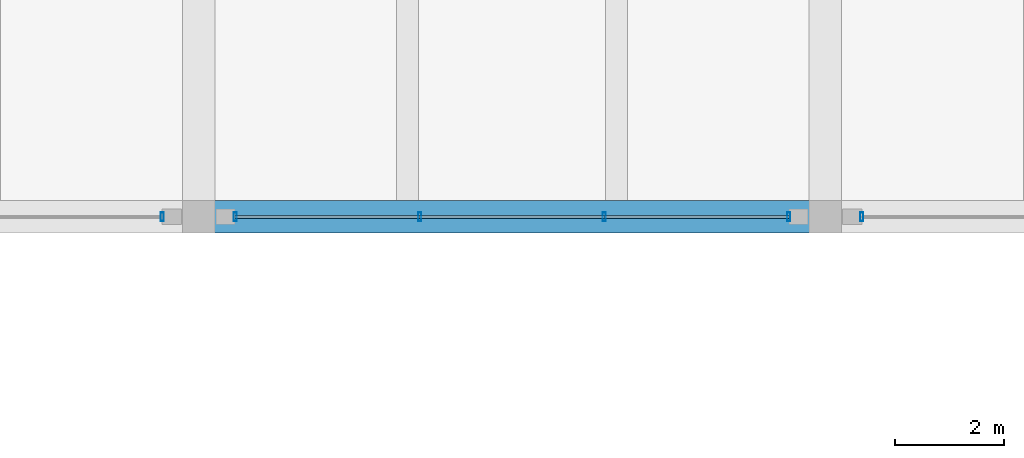
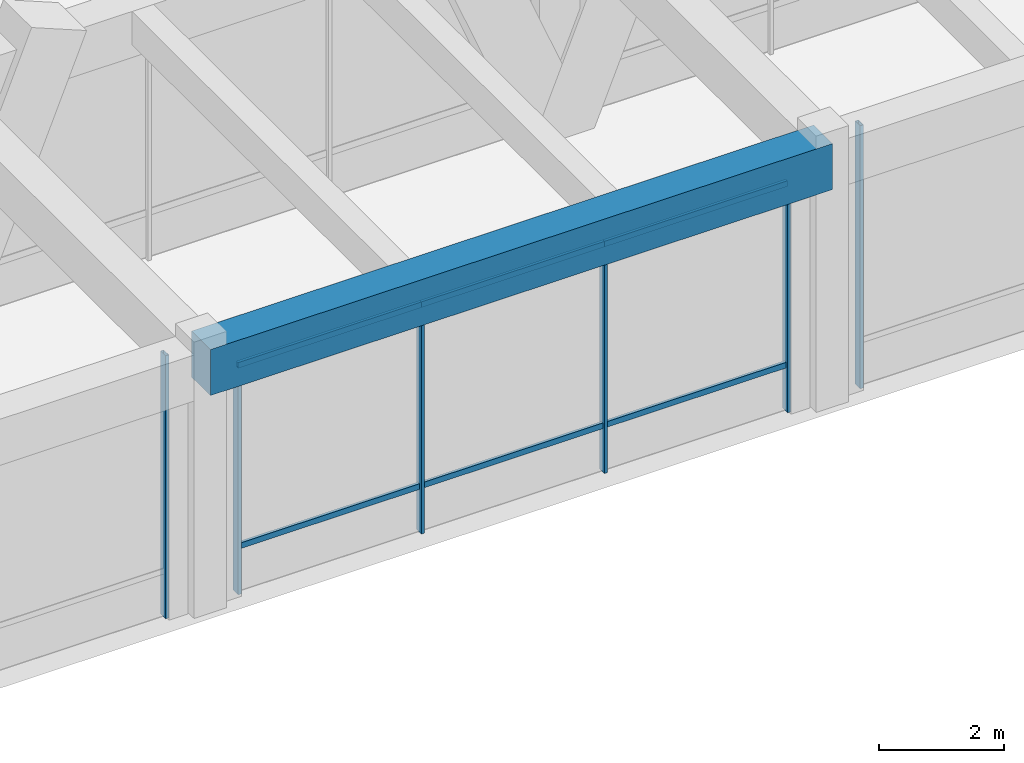
# One storey, part 16 of 148: 12 members, 1 beam, 3 elements without a shape of their own.
"""IFC4 building model written with IfcOpenShell, lengths in metres."""

from ifc_helpers import new_model, si_unit, direction, frame, origin, origin_2d, place, context, subcontext, project, spatial, rectangle, hollow_rectangle, extrude, material, material_profile, profile_set, type_object, element, aggregate, save


model = new_model("IFC4")

# Units and contexts
model_context = context("Model", 3, precision=1e-05, world=origin(), true_north=direction((0.0, 1.0)))
body_context = subcontext(model_context, "Body", "Model", "MODEL_VIEW")
ifc_project = project(units=[si_unit("LENGTHUNIT", "METRE"), si_unit("AREAUNIT", "SQUARE_METRE"), si_unit("VOLUMEUNIT", "CUBIC_METRE"), si_unit("PLANEANGLEUNIT", "RADIAN"), si_unit("MASSUNIT", "GRAM", prefix="KILO")], contexts=[model_context])

# Site, building, storey
site_placement = place(None, origin())
site = spatial("IfcSite", under=ifc_project, at=site_placement, CompositionType="ELEMENT")
building_placement = place(site_placement, origin())
building = spatial("IfcBuilding", under=site, at=building_placement, Name="Ologun Quay Terminus", CompositionType="ELEMENT")
storey_placement = place(building_placement, frame((0.0, 0.0, 8.39990234375)))
storey = spatial("IfcBuildingStorey", under=building, at=storey_placement, Name="L02", CompositionType="ELEMENT", Elevation=8.39990234375)

# Curtain wall, member
ifc_material_1 = material(Name="Aluminium 6063-T6", Category="aluminium")
curtain_wall_type = type_object("IfcCurtainWallType", Name="Concourse Departure Curtain Wall 10700x4950", PredefinedType="USERDEFINED", material=ifc_material_1)
curtain_wall_1_placement = place(storey_placement, origin())
curtain_wall_1 = element("IfcCurtainWall", 1, at=curtain_wall_1_placement, inside=storey, type_object=curtain_wall_type, Name="CW-05 Curtain Wall CW-L02-021", ObjectType="UNITISED CURTAIN WALL", PredefinedType="USERDEFINED")
ifc_material_2 = material(Name="Aluminium 6063-T6", Category="aluminium")
ifc_material_profile_1 = material_profile(ifc_material_2, hollow_rectangle(XDim=0.06005859375, YDim=0.159912109375, WallThickness=0.00390625, at=origin_2d()), Name="ALU 160x60x4")
ifc_profile_set_1 = profile_set([ifc_material_profile_1], Name="Aluminium 6063-T6")
member_type_1 = type_object("IfcMemberType", Name="Curtain Wall Standard Mullion 160x65", PredefinedType="MULLION", material=ifc_profile_set_1)
member_1_placement = place(storey_placement, frame((33.830078125, 27.199951171875, 0.0), z_axis=(0.0, 0.0, 1.0), x_axis=(1.0, 0.0, 0.0)))
member_1 = element("IfcMember", 2, at=member_1_placement, type_object=member_type_1, Name="CW-L02-021 Mullion 4", PredefinedType="MULLION", context=body_context, shape_type="SweptSolid", body=[
    extrude(hollow_rectangle(XDim=0.06005859375, YDim=0.159912109375, WallThickness=0.00390625, at=origin_2d()), origin(), (0.0, 0.0, 1.0), 5.14013671875),
])
aggregate(curtain_wall_1, [member_1])

# Curtain wall, members
curtain_wall_2_placement = place(storey_placement, origin())
curtain_wall_2 = element("IfcCurtainWall", 3, at=curtain_wall_2_placement, inside=storey, type_object=curtain_wall_type, Name="CW-05 Curtain Wall CW-L02-022", ObjectType="UNITISED CURTAIN WALL", PredefinedType="USERDEFINED")
member_2_placement = place(storey_placement, frame((35.169921875, 27.199951171875, 0.0), z_axis=(0.0, 0.0, 1.0), x_axis=(1.0, 0.0, 0.0)))
member_2 = element("IfcMember", 4, at=member_2_placement, type_object=member_type_1, Name="CW-L02-022 Mullion 1", PredefinedType="MULLION", context=body_context, shape_type="SweptSolid", body=[
    extrude(hollow_rectangle(XDim=0.06005859375, YDim=0.159912109375, WallThickness=0.00390625, at=origin_2d()), origin(), (0.0, 0.0, 1.0), 5.14013671875),
])
member_3_placement = place(storey_placement, frame((38.556640625, 27.199951171875, 0.0), z_axis=(0.0, 0.0, 1.0), x_axis=(1.0, 0.0, 0.0)))
member_3 = element("IfcMember", 5, at=member_3_placement, type_object=member_type_1, Name="CW-L02-022 Mullion 2", PredefinedType="MULLION", context=body_context, shape_type="SweptSolid", body=[
    extrude(hollow_rectangle(XDim=0.06005859375, YDim=0.159912109375, WallThickness=0.00390625, at=origin_2d()), origin(), (0.0, 0.0, 1.0), 5.14013671875),
])
member_4_placement = place(storey_placement, frame((41.943359375, 27.199951171875, 0.0), z_axis=(0.0, 0.0, 1.0), x_axis=(1.0, 0.0, 0.0)))
member_4 = element("IfcMember", 6, at=member_4_placement, type_object=member_type_1, Name="CW-L02-022 Mullion 3", PredefinedType="MULLION", context=body_context, shape_type="SweptSolid", body=[
    extrude(hollow_rectangle(XDim=0.06005859375, YDim=0.159912109375, WallThickness=0.00390625, at=origin_2d()), origin(), (0.0, 0.0, 1.0), 5.14013671875),
])
member_5_placement = place(storey_placement, frame((45.330078125, 27.199951171875, 0.0), z_axis=(0.0, 0.0, 1.0), x_axis=(1.0, 0.0, 0.0)))
member_5 = element("IfcMember", 7, at=member_5_placement, type_object=member_type_1, Name="CW-L02-022 Mullion 4", PredefinedType="MULLION", context=body_context, shape_type="SweptSolid", body=[
    extrude(hollow_rectangle(XDim=0.06005859375, YDim=0.159912109375, WallThickness=0.00390625, at=origin_2d()), origin(), (0.0, 0.0, 1.0), 5.14013671875),
])

# Curtain wall, member
curtain_wall_3_placement = place(storey_placement, origin())
curtain_wall_3 = element("IfcCurtainWall", 8, at=curtain_wall_3_placement, inside=storey, type_object=curtain_wall_type, Name="CW-05 Curtain Wall CW-L02-023", ObjectType="UNITISED CURTAIN WALL", PredefinedType="USERDEFINED")
member_6_placement = place(storey_placement, frame((46.669921875, 27.199951171875, 0.0), z_axis=(0.0, 0.0, 1.0), x_axis=(1.0, 0.0, 0.0)))
member_6 = element("IfcMember", 9, at=member_6_placement, type_object=member_type_1, Name="CW-L02-023 Mullion 1", PredefinedType="MULLION", context=body_context, shape_type="SweptSolid", body=[
    extrude(hollow_rectangle(XDim=0.06005859375, YDim=0.159912109375, WallThickness=0.00390625, at=origin_2d()), origin(), (0.0, 0.0, 1.0), 5.14013671875),
])
aggregate(curtain_wall_3, [member_6])

# Member
ifc_material_3 = material(Name="Aluminium 6063-T6", Category="aluminium")
ifc_material_profile_2 = material_profile(ifc_material_3, hollow_rectangle(XDim=0.054931640625, YDim=0.110107421875, WallThickness=0.00390625, at=origin_2d()), Name="ALU 110x55x4")
ifc_profile_set_2 = profile_set([ifc_material_profile_2], Name="Aluminium 6063-T6")
member_type_2 = type_object("IfcMemberType", Name="Curtain Wall Standard Transom 110x55", PredefinedType="USERDEFINED", material=ifc_profile_set_2)
member_7_placement = place(storey_placement, frame((35.169921875, 27.199951171875, 0.900146484375), z_axis=(1.0, 0.0, 0.0), x_axis=(0.0, 1.0, 0.0)))
member_7 = element("IfcMember", 10, at=member_7_placement, type_object=member_type_2, Name="CW-L02-022 Transom B1-1", ObjectType="TRANSOM", PredefinedType="USERDEFINED", context=body_context, shape_type="SweptSolid", body=[
    extrude(hollow_rectangle(XDim=0.054931640625, YDim=0.110107421875, WallThickness=0.00390625, at=origin_2d()), origin(), (0.0, 0.0, 1.0), 3.38671875),
])

member_8_placement = place(storey_placement, frame((35.169921875, 27.199951171875, 4.440185546875), z_axis=(1.0, 0.0, 0.0), x_axis=(0.0, 1.0, 0.0)))
member_8 = element("IfcMember", 11, at=member_8_placement, type_object=member_type_2, Name="CW-L02-022 Transom B1-2", ObjectType="TRANSOM", PredefinedType="USERDEFINED", context=body_context, shape_type="SweptSolid", body=[
    extrude(hollow_rectangle(XDim=0.054931640625, YDim=0.110107421875, WallThickness=0.00390625, at=origin_2d()), origin(), (0.0, 0.0, 1.0), 3.38671875),
])

member_9_placement = place(storey_placement, frame((38.556640625, 27.199951171875, 0.900146484375), z_axis=(1.0, 0.0, 0.0), x_axis=(0.0, 1.0, 0.0)))
member_9 = element("IfcMember", 12, at=member_9_placement, type_object=member_type_2, Name="CW-L02-022 Transom B2-1", ObjectType="TRANSOM", PredefinedType="USERDEFINED", context=body_context, shape_type="SweptSolid", body=[
    extrude(hollow_rectangle(XDim=0.054931640625, YDim=0.110107421875, WallThickness=0.00390625, at=origin_2d()), origin(), (0.0, 0.0, 1.0), 3.38671875),
])

member_10_placement = place(storey_placement, frame((38.556640625, 27.199951171875, 4.440185546875), z_axis=(1.0, 0.0, 0.0), x_axis=(0.0, 1.0, 0.0)))
member_10 = element("IfcMember", 13, at=member_10_placement, type_object=member_type_2, Name="CW-L02-022 Transom B2-2", ObjectType="TRANSOM", PredefinedType="USERDEFINED", context=body_context, shape_type="SweptSolid", body=[
    extrude(hollow_rectangle(XDim=0.054931640625, YDim=0.110107421875, WallThickness=0.00390625, at=origin_2d()), origin(), (0.0, 0.0, 1.0), 3.38671875),
])

member_11_placement = place(storey_placement, frame((41.943359375, 27.199951171875, 0.900146484375), z_axis=(1.0, 0.0, 0.0), x_axis=(0.0, 1.0, 0.0)))
member_11 = element("IfcMember", 14, at=member_11_placement, type_object=member_type_2, Name="CW-L02-022 Transom B3-1", ObjectType="TRANSOM", PredefinedType="USERDEFINED", context=body_context, shape_type="SweptSolid", body=[
    extrude(hollow_rectangle(XDim=0.054931640625, YDim=0.110107421875, WallThickness=0.00390625, at=origin_2d()), origin(), (0.0, 0.0, 1.0), 3.38671875),
])

member_12_placement = place(storey_placement, frame((41.943359375, 27.199951171875, 4.440185546875), z_axis=(1.0, 0.0, 0.0), x_axis=(0.0, 1.0, 0.0)))
member_12 = element("IfcMember", 15, at=member_12_placement, type_object=member_type_2, Name="CW-L02-022 Transom B3-2", ObjectType="TRANSOM", PredefinedType="USERDEFINED", context=body_context, shape_type="SweptSolid", body=[
    extrude(hollow_rectangle(XDim=0.054931640625, YDim=0.110107421875, WallThickness=0.00390625, at=origin_2d()), origin(), (0.0, 0.0, 1.0), 3.38671875),
])

aggregate(curtain_wall_2, [member_2, member_3, member_4, member_5, member_7, member_8, member_9, member_10, member_11, member_12])

# Beam
ifc_material_4 = material(Name="Concrete C40/50", Category="concrete")
ifc_material_profile_3 = material_profile(ifc_material_4, rectangle(XDim=0.60009765625, YDim=0.89990234375, at=origin_2d()), Name="RC 600x900")
ifc_profile_set_3 = profile_set([ifc_material_profile_3], Name="Concrete C40/50")
beam_type = type_object("IfcBeamType", Name="Station Frame Girder 600x900", PredefinedType="BEAM", material=ifc_profile_set_3)
beam_placement = place(storey_placement, frame((34.5, 27.199951171875, 4.7001953125), z_axis=(1.0, 0.0, 0.0), x_axis=(0.0, 1.0, 0.0)))
element("IfcBeam", 16, at=beam_placement, inside=storey, type_object=beam_type, Name="B3 Beam 4/D L02", PredefinedType="BEAM", context=body_context, shape_type="SweptSolid", body=[
    extrude(rectangle(XDim=0.60009765625, YDim=0.89990234375, at=origin_2d()), origin(), (0.0, 0.0, 1.0), 11.5),
])

save(model, "model.ifc")
